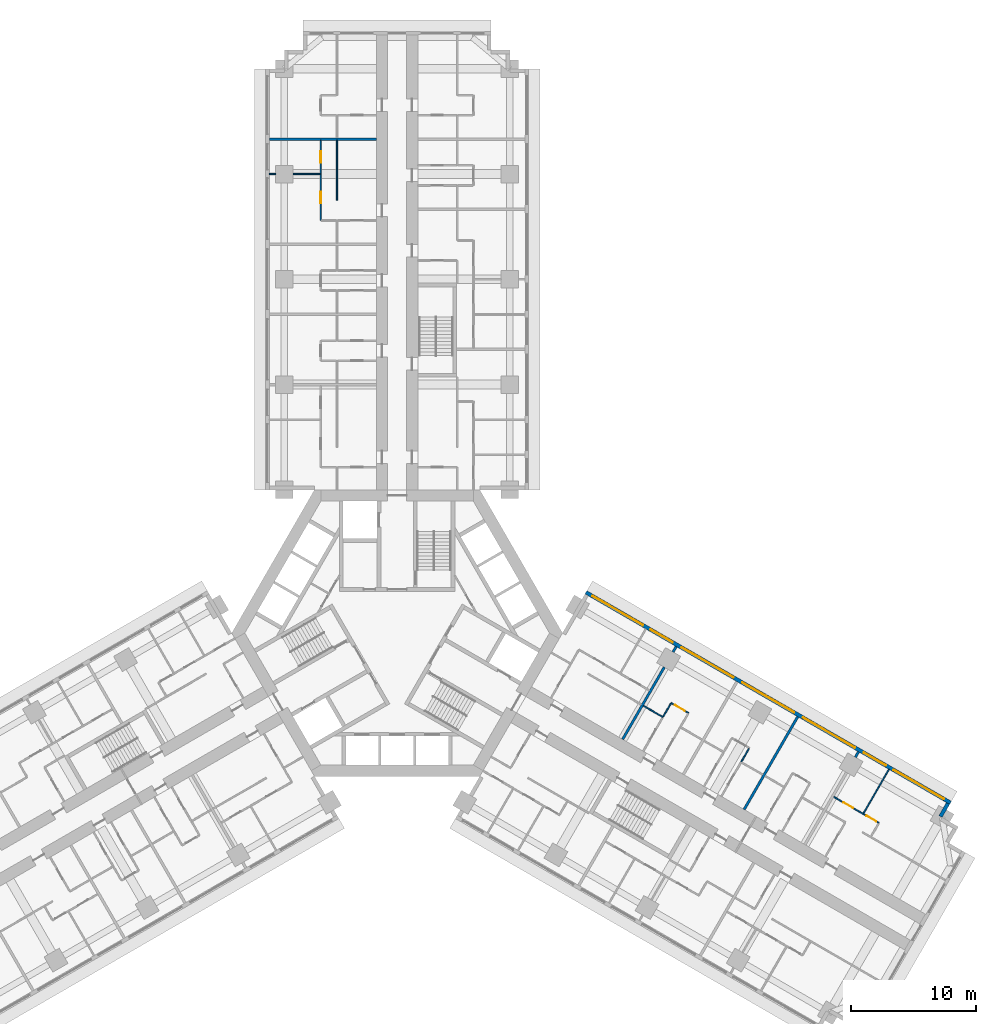
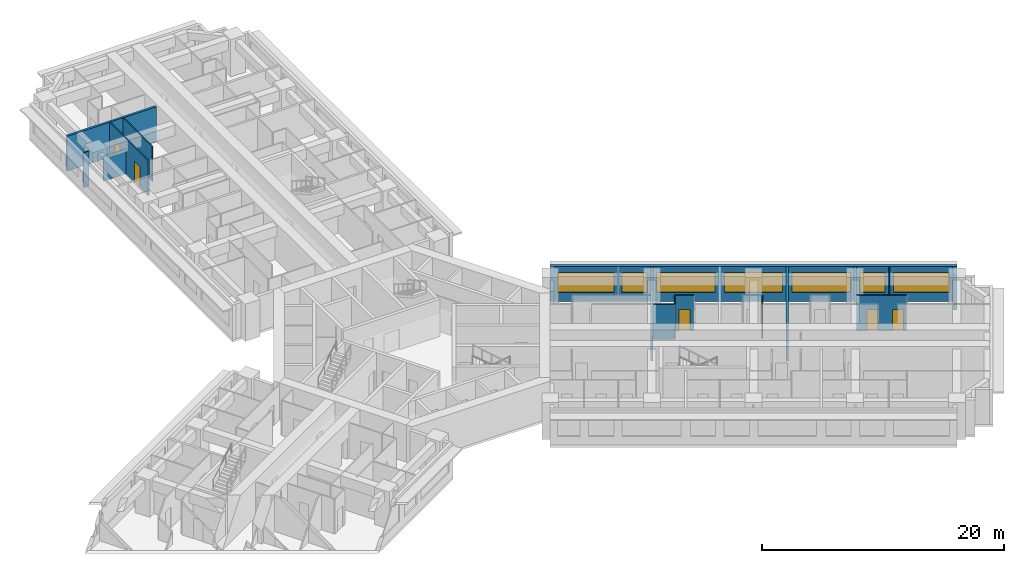
# One storey, part 13 of 16: 17 walls, 7 windows, 5 doors, 12 openings.
"""IFC4 building model written with IfcOpenShell, lengths in metres."""

from ifc_helpers import new_model, si_unit, direction, frame, frame_2d, origin, place, context, subcontext, project, spatial, rectangle, extrude, material, layer, layer_set, type_object, element, fill, save


model = new_model("IFC4")

# Units and contexts
model_context = context("Model", 3, precision=1e-05, world=origin(), true_north=direction((0.0, 1.0)))
body_context = subcontext(model_context, "Body", "Model", "MODEL_VIEW")
ifc_project = project(units=[si_unit("LENGTHUNIT", "METRE"), si_unit("AREAUNIT", "SQUARE_METRE"), si_unit("VOLUMEUNIT", "CUBIC_METRE"), si_unit("PLANEANGLEUNIT", "RADIAN"), si_unit("MASSUNIT", "GRAM", prefix="KILO")], contexts=[model_context])

# Site, building, storey
site_placement = place(None, origin())
site = spatial("IfcSite", under=ifc_project, at=site_placement, CompositionType="ELEMENT")
building_placement = place(site_placement, origin())
building = spatial("IfcBuilding", under=site, at=building_placement, Name="Impinga Residences", CompositionType="ELEMENT")
storey_placement = place(building_placement, frame((0.0, 0.0, 63.5)))
storey = spatial("IfcBuildingStorey", under=building, at=storey_placement, Name="L15", CompositionType="ELEMENT", Elevation=63.5)

# Wall, openings, windows
ifc_material_1 = material(Name="Terracotta rainscreen on blockwork", Category="masonry")
ifc_layer_1 = layer(ifc_material_1, 0.300048828125)
ifc_layer_set_1 = layer_set([ifc_layer_1], Name="EW1 external wall, terracotta rainscreen on blockwork 300")
wall_type_1 = type_object("IfcWallType", Name="EW1 external wall, terracotta rainscreen on blockwork 300", PredefinedType="SOLIDWALL", material=ifc_layer_set_1)
wall_1_placement = place(storey_placement, frame((15.074951171875, 3.24755859375, 0.0), z_axis=(0.0, 0.0, 1.0), x_axis=(0.866024291668, -0.500001926238, 0.0)))
wall_1 = element("IfcWall", 1, at=wall_1_placement, inside=storey, type_object=wall_type_1, Name="External wall EW1 L15", PredefinedType="SOLIDWALL", context=body_context, shape_type="SweptSolid", body=[
    extrude(rectangle(XDim=33.599853515625, YDim=0.300048828125, at=frame_2d((16.7998046875, 0.0))), origin(), (0.0, 0.0, 1.0), 3.530029296875),
])
opening_1_placement = place(wall_1_placement, frame((0.60009765625, 0.0, 0.89990234375)))
opening_1 = element("IfcOpeningElement", 2, at=opening_1_placement, cuts=wall_1, Name="Opening W10", PredefinedType="OPENING", context=body_context, shape_type="SweptSolid", body=[
    extrude(rectangle(XDim=4.64990234375, YDim=2.050048828125, at=frame_2d((2.324951171875, 1.02490234375))), frame((0.0, 0.159912109375, 0.0), z_axis=(0.0, -1.0, 0.0), x_axis=(1.0, 0.0, 0.0)), (0.0, 0.0, 1.0), 0.320068359375),
])
opening_2_placement = place(wall_1_placement, frame((5.949951171875, 0.0, 0.89990234375)))
opening_2 = element("IfcOpeningElement", 3, at=opening_2_placement, cuts=wall_1, Name="Opening W14", PredefinedType="OPENING", context=body_context, shape_type="SweptSolid", body=[
    extrude(rectangle(XDim=2.050048828125, YDim=2.050048828125, at=frame_2d((1.02490234375, 1.02490234375))), frame((0.0, 0.159912109375, 0.0), z_axis=(0.0, -1.0, 0.0), x_axis=(1.0, 0.0, 0.0)), (0.0, 0.0, 1.0), 0.320068359375),
])
opening_3_placement = place(wall_1_placement, frame((8.800048828125, 0.0, 0.89990234375)))
opening_3 = element("IfcOpeningElement", 4, at=opening_3_placement, cuts=wall_1, Name="Opening W8", PredefinedType="OPENING", context=body_context, shape_type="SweptSolid", body=[
    extrude(rectangle(XDim=4.800048828125, YDim=2.050048828125, at=frame_2d((2.39990234375, 1.02490234375))), frame((0.0, 0.159912109375, 0.0), z_axis=(0.0, -1.0, 0.0), x_axis=(1.0, 0.0, 0.0)), (0.0, 0.0, 1.0), 0.320068359375),
])
opening_4_placement = place(wall_1_placement, frame((14.39990234375, 0.0, 0.89990234375)))
opening_4 = element("IfcOpeningElement", 5, at=opening_4_placement, cuts=wall_1, Name="Opening W8", PredefinedType="OPENING", context=body_context, shape_type="SweptSolid", body=[
    extrude(rectangle(XDim=4.800048828125, YDim=2.050048828125, at=frame_2d((2.39990234375, 1.02490234375))), frame((0.0, 0.159912109375, 0.0), z_axis=(0.0, -1.0, 0.0), x_axis=(1.0, 0.0, 0.0)), (0.0, 0.0, 1.0), 0.320068359375),
])
opening_5_placement = place(wall_1_placement, frame((20.0, 0.0, 0.89990234375)))
opening_5 = element("IfcOpeningElement", 6, at=opening_5_placement, cuts=wall_1, Name="Opening W8", PredefinedType="OPENING", context=body_context, shape_type="SweptSolid", body=[
    extrude(rectangle(XDim=4.800048828125, YDim=2.050048828125, at=frame_2d((2.39990234375, 1.02490234375))), frame((0.0, 0.159912109375, 0.0), z_axis=(0.0, -1.0, 0.0), x_axis=(1.0, 0.0, 0.0)), (0.0, 0.0, 1.0), 0.320068359375),
])
opening_6_placement = place(wall_1_placement, frame((25.60009765625, 0.0, 0.89990234375)))
opening_6 = element("IfcOpeningElement", 7, at=opening_6_placement, cuts=wall_1, Name="Opening W14", PredefinedType="OPENING", context=body_context, shape_type="SweptSolid", body=[
    extrude(rectangle(XDim=2.050048828125, YDim=2.050048828125, at=frame_2d((1.02490234375, 1.02490234375))), frame((0.0, 0.159912109375, 0.0), z_axis=(0.0, -1.0, 0.0), x_axis=(1.0, 0.0, 0.0)), (0.0, 0.0, 1.0), 0.320068359375),
])
opening_7_placement = place(wall_1_placement, frame((28.35009765625, 0.0, 0.89990234375)))
opening_7 = element("IfcOpeningElement", 8, at=opening_7_placement, cuts=wall_1, Name="Opening W10", PredefinedType="OPENING", context=body_context, shape_type="SweptSolid", body=[
    extrude(rectangle(XDim=4.64990234375, YDim=2.050048828125, at=frame_2d((2.324951171875, 1.02490234375))), frame((0.0, 0.159912109375, 0.0), z_axis=(0.0, -1.0, 0.0), x_axis=(1.0, 0.0, 0.0)), (0.0, 0.0, 1.0), 0.320068359375),
])
ifc_material_2 = material(Name="Aluminium window, clear double glazing", Category="aluminium")
window_type_1 = type_object("IfcWindowType", Name="W10 ribbon window 4650x2050", PartitioningType="SINGLE_PANEL", PredefinedType="WINDOW", material=ifc_material_2)
window_1_placement = place(opening_1_placement, origin())
window_1 = element("IfcWindow", 9, at=window_1_placement, inside=storey, type_object=window_type_1, Name="Window L15", OverallHeight=2.050048828125, OverallWidth=4.64990234375, PartitioningType="SINGLE_PANEL", PredefinedType="WINDOW", context=body_context, shape_type="SweptSolid", body=[
    extrude(rectangle(XDim=4.64990234375, YDim=2.050048828125, at=frame_2d((2.324951171875, 1.02490234375))), frame((0.0, 0.030029296875, 0.0), z_axis=(0.0, -1.0, 0.0), x_axis=(1.0, 0.0, 0.0)), (0.0, 0.0, 1.0), 0.06005859375),
])
fill(opening_1, window_1)
window_2_placement = place(opening_7_placement, origin())
window_2 = element("IfcWindow", 10, at=window_2_placement, inside=storey, type_object=window_type_1, Name="Window L15", OverallHeight=2.050048828125, OverallWidth=4.64990234375, PartitioningType="SINGLE_PANEL", PredefinedType="WINDOW", context=body_context, shape_type="SweptSolid", body=[
    extrude(rectangle(XDim=4.64990234375, YDim=2.050048828125, at=frame_2d((2.324951171875, 1.02490234375))), frame((0.0, 0.030029296875, 0.0), z_axis=(0.0, -1.0, 0.0), x_axis=(1.0, 0.0, 0.0)), (0.0, 0.0, 1.0), 0.06005859375),
])
fill(opening_7, window_2)
window_type_2 = type_object("IfcWindowType", Name="W14 ribbon window 2050x2050", PartitioningType="SINGLE_PANEL", PredefinedType="WINDOW", material=ifc_material_2)
window_3_placement = place(opening_2_placement, origin())
window_3 = element("IfcWindow", 11, at=window_3_placement, inside=storey, type_object=window_type_2, Name="Window L15", OverallHeight=2.050048828125, OverallWidth=2.050048828125, PartitioningType="SINGLE_PANEL", PredefinedType="WINDOW", context=body_context, shape_type="SweptSolid", body=[
    extrude(rectangle(XDim=2.050048828125, YDim=2.050048828125, at=frame_2d((1.02490234375, 1.02490234375))), frame((0.0, 0.030029296875, 0.0), z_axis=(0.0, -1.0, 0.0), x_axis=(1.0, 0.0, 0.0)), (0.0, 0.0, 1.0), 0.06005859375),
])
fill(opening_2, window_3)
window_4_placement = place(opening_6_placement, origin())
window_4 = element("IfcWindow", 12, at=window_4_placement, inside=storey, type_object=window_type_2, Name="Window L15", OverallHeight=2.050048828125, OverallWidth=2.050048828125, PartitioningType="SINGLE_PANEL", PredefinedType="WINDOW", context=body_context, shape_type="SweptSolid", body=[
    extrude(rectangle(XDim=2.050048828125, YDim=2.050048828125, at=frame_2d((1.02490234375, 1.02490234375))), frame((0.0, 0.030029296875, 0.0), z_axis=(0.0, -1.0, 0.0), x_axis=(1.0, 0.0, 0.0)), (0.0, 0.0, 1.0), 0.06005859375),
])
fill(opening_6, window_4)
window_type_3 = type_object("IfcWindowType", Name="W8 ribbon window 4800x2050", PartitioningType="SINGLE_PANEL", PredefinedType="WINDOW", material=ifc_material_2)
window_5_placement = place(opening_3_placement, origin())
window_5 = element("IfcWindow", 13, at=window_5_placement, inside=storey, type_object=window_type_3, Name="Window L15", OverallHeight=2.050048828125, OverallWidth=4.800048828125, PartitioningType="SINGLE_PANEL", PredefinedType="WINDOW", context=body_context, shape_type="SweptSolid", body=[
    extrude(rectangle(XDim=4.800048828125, YDim=2.050048828125, at=frame_2d((2.39990234375, 1.02490234375))), frame((0.0, 0.030029296875, 0.0), z_axis=(0.0, -1.0, 0.0), x_axis=(1.0, 0.0, 0.0)), (0.0, 0.0, 1.0), 0.06005859375),
])
fill(opening_3, window_5)
window_6_placement = place(opening_4_placement, origin())
window_6 = element("IfcWindow", 14, at=window_6_placement, inside=storey, type_object=window_type_3, Name="Window L15", OverallHeight=2.050048828125, OverallWidth=4.800048828125, PartitioningType="SINGLE_PANEL", PredefinedType="WINDOW", context=body_context, shape_type="SweptSolid", body=[
    extrude(rectangle(XDim=4.800048828125, YDim=2.050048828125, at=frame_2d((2.39990234375, 1.02490234375))), frame((0.0, 0.030029296875, 0.0), z_axis=(0.0, -1.0, 0.0), x_axis=(1.0, 0.0, 0.0)), (0.0, 0.0, 1.0), 0.06005859375),
])
fill(opening_4, window_6)
window_7_placement = place(opening_5_placement, origin())
window_7 = element("IfcWindow", 15, at=window_7_placement, inside=storey, type_object=window_type_3, Name="Window L15", OverallHeight=2.050048828125, OverallWidth=4.800048828125, PartitioningType="SINGLE_PANEL", PredefinedType="WINDOW", context=body_context, shape_type="SweptSolid", body=[
    extrude(rectangle(XDim=4.800048828125, YDim=2.050048828125, at=frame_2d((2.39990234375, 1.02490234375))), frame((0.0, 0.030029296875, 0.0), z_axis=(0.0, -1.0, 0.0), x_axis=(1.0, 0.0, 0.0)), (0.0, 0.0, 1.0), 0.06005859375),
])
fill(opening_5, window_7)

# Walls
wall_2_placement = place(storey_placement, frame((43.968505859375, -13.607421875, 0.0), z_axis=(0.0, 0.0, 1.0), x_axis=(-0.500029051137, -0.866008630453, 0.0)))
element("IfcWall", 16, at=wall_2_placement, inside=storey, type_object=wall_type_1, Name="External wall EW1 L15", PredefinedType="SOLIDWALL", context=body_context, shape_type="SweptSolid", body=[
    extrude(rectangle(XDim=1.19482421875, YDim=0.300048828125, at=frame_2d((0.597412109375, 0.0))), origin(), (0.0, 0.0, 1.0), 3.530029296875),
])
ifc_material_3 = material(Name="Gypsum board on steel studs", Category="steel")
ifc_layer_2 = layer(ifc_material_3, 0.10009765625)
ifc_layer_set_2 = layer_set([ifc_layer_2], Name="Gypsum board on steel studs")
wall_type_2 = type_object("IfcWallType", Name="IP1 partition 100", PredefinedType="PARTITIONING", material=ifc_layer_set_2)
wall_3_placement = place(storey_placement, frame((-4.800048828125, 34.531494140625, 0.0), z_axis=(0.0, 0.0, 1.0), x_axis=(0.0, 1.0, 0.0)))
element("IfcWall", 17, at=wall_3_placement, inside=storey, type_object=wall_type_2, Name="Partition L15-NA4:DIV1", PredefinedType="PARTITIONING", context=body_context, shape_type="SweptSolid", body=[
    extrude(rectangle(XDim=4.800048828125, YDim=0.10009765625, at=frame_2d((2.39990234375, 0.0))), origin(), (0.0, 0.0, 1.0), 3.530029296875),
])

# Wall, openings, doors
wall_4_placement = place(storey_placement, frame((-6.10009765625, 32.931640625, 0.0), z_axis=(0.0, 0.0, 1.0), x_axis=(0.0, 1.0, 0.0)))
wall_4 = element("IfcWall", 18, at=wall_4_placement, inside=storey, type_object=wall_type_2, Name="Partition L15-NA4:STRIP", PredefinedType="PARTITIONING", context=body_context, shape_type="SweptSolid", body=[
    extrude(rectangle(XDim=6.39990234375, YDim=0.10009765625, at=frame_2d((3.199951171875, 0.0))), origin(), (0.0, 0.0, 1.0), 3.530029296875),
])
opening_8_placement = place(wall_4_placement, frame((1.375, 0.0, 0.0)))
opening_8 = element("IfcOpeningElement", 19, at=opening_8_placement, cuts=wall_4, Name="Opening D2", PredefinedType="OPENING", context=body_context, shape_type="SweptSolid", body=[
    extrude(rectangle(XDim=0.89990234375, YDim=2.10009765625, at=frame_2d((0.449951171875, 1.050048828125))), frame((0.0, 0.06005859375, 0.0), z_axis=(0.0, -1.0, 0.0), x_axis=(1.0, 0.0, 0.0)), (0.0, 0.0, 1.0), 0.1201171875),
])
opening_9_placement = place(wall_4_placement, frame((4.625, 0.0, 0.0)))
opening_9 = element("IfcOpeningElement", 20, at=opening_9_placement, cuts=wall_4, Name="Opening D2", PredefinedType="OPENING", context=body_context, shape_type="SweptSolid", body=[
    extrude(rectangle(XDim=0.89990234375, YDim=2.10009765625, at=frame_2d((0.449951171875, 1.050048828125))), frame((0.0, 0.06005859375, 0.0), z_axis=(0.0, -1.0, 0.0), x_axis=(1.0, 0.0, 0.0)), (0.0, 0.0, 1.0), 0.1201171875),
])
ifc_material_4 = material(Name="Timber door set", Category="wood")
door_type = type_object("IfcDoorType", Name="D2 internal door 900x2100", OperationType="SINGLE_SWING_LEFT", PredefinedType="DOOR", material=ifc_material_4)
door_1_placement = place(opening_8_placement, origin())
door_1 = element("IfcDoor", 21, at=door_1_placement, inside=storey, type_object=door_type, Name="Apartment L15-NA4 room door", OperationType="SINGLE_SWING_LEFT", OverallHeight=2.10009765625, OverallWidth=0.89990234375, PredefinedType="DOOR", context=body_context, shape_type="SweptSolid", body=[
    extrude(rectangle(XDim=0.89990234375, YDim=2.10009765625, at=frame_2d((0.449951171875, 1.050048828125))), frame((0.0, 0.02490234375, 0.0), z_axis=(0.0, -1.0, 0.0), x_axis=(1.0, 0.0, 0.0)), (0.0, 0.0, 1.0), 0.050048828125),
])
fill(opening_8, door_1)
door_2_placement = place(opening_9_placement, origin())
door_2 = element("IfcDoor", 22, at=door_2_placement, inside=storey, type_object=door_type, Name="Apartment L15-NA4 room door", OperationType="SINGLE_SWING_RIGHT", OverallHeight=2.10009765625, OverallWidth=0.89990234375, PredefinedType="DOOR", context=body_context, shape_type="SweptSolid", body=[
    extrude(rectangle(XDim=0.89990234375, YDim=2.10009765625, at=frame_2d((0.449951171875, 1.050048828125))), frame((0.0, 0.02490234375, 0.0), z_axis=(0.0, -1.0, 0.0), x_axis=(1.0, 0.0, 0.0)), (0.0, 0.0, 1.0), 0.050048828125),
])
fill(opening_9, door_2)

# Walls
wall_5_placement = place(storey_placement, frame((-6.14990234375, 36.631591796875, 0.0), z_axis=(0.0, 0.0, 1.0), x_axis=(-1.0, 0.0, 0.0)))
element("IfcWall", 23, at=wall_5_placement, inside=storey, type_object=wall_type_2, Name="Partition L15-NA4:OB1", PredefinedType="PARTITIONING", context=body_context, shape_type="SweptSolid", body=[
    extrude(rectangle(XDim=2.150146484375, YDim=0.10009765625, at=frame_2d((1.0751953125, 0.0))), origin(), (0.0, 0.0, 1.0), 2.47998046875),
])
wall_6_placement = place(storey_placement, frame((-9.699951171875, 36.631591796875, 0.0), z_axis=(0.0, 0.0, 1.0), x_axis=(-1.0, 0.0, 0.0)))
element("IfcWall", 24, at=wall_6_placement, inside=storey, type_object=wall_type_2, Name="Partition L15-NA4:OB1b", PredefinedType="PARTITIONING", context=body_context, shape_type="SweptSolid", body=[
    extrude(rectangle(XDim=0.5, YDim=0.10009765625, at=frame_2d((0.25, 0.0))), origin(), (0.0, 0.0, 1.0), 3.530029296875),
])
wall_7_placement = place(storey_placement, frame((19.6611328125, -5.808837890625, 0.0), z_axis=(0.0, 0.0, 1.0), x_axis=(0.866047807691, -0.499961193289, 0.0)))
element("IfcWall", 25, at=wall_7_placement, inside=storey, type_object=wall_type_2, Name="Partition L15-EA2:DIV0", PredefinedType="PARTITIONING", context=body_context, shape_type="SweptSolid", body=[
    extrude(rectangle(XDim=1.800048828125, YDim=0.10009765625, at=frame_2d((0.89990234375, 0.0))), origin(), (0.0, 0.0, 1.0), 3.530029296875),
])

# Wall, opening, door
wall_8_placement = place(storey_placement, frame((21.8701171875, -5.5830078125, 0.0), z_axis=(0.0, 0.0, 1.0), x_axis=(0.865989903783, -0.500061482766, 0.0)))
wall_8 = element("IfcWall", 26, at=wall_8_placement, inside=storey, type_object=wall_type_2, Name="Partition L15-EA2:STRIP", PredefinedType="PARTITIONING", context=body_context, shape_type="SweptSolid", body=[
    extrude(rectangle(XDim=1.599853515625, YDim=0.10009765625, at=frame_2d((0.7998046875, 0.0))), origin(), (0.0, 0.0, 1.0), 3.530029296875),
])
opening_10_placement = place(wall_8_placement, frame((0.35009765625, 0.0, 0.0)))
opening_10 = element("IfcOpeningElement", 27, at=opening_10_placement, cuts=wall_8, Name="Opening D2", PredefinedType="OPENING", context=body_context, shape_type="SweptSolid", body=[
    extrude(rectangle(XDim=0.89990234375, YDim=2.10009765625, at=frame_2d((0.449951171875, 1.050048828125))), frame((0.0, 0.06005859375, 0.0), z_axis=(0.0, -1.0, 0.0), x_axis=(1.0, 0.0, 0.0)), (0.0, 0.0, 1.0), 0.1201171875),
])
door_3_placement = place(opening_10_placement, origin())
door_3 = element("IfcDoor", 28, at=door_3_placement, inside=storey, type_object=door_type, Name="Apartment L15-EA2 room door", OperationType="SINGLE_SWING_LEFT", OverallHeight=2.10009765625, OverallWidth=0.89990234375, PredefinedType="DOOR", context=body_context, shape_type="SweptSolid", body=[
    extrude(rectangle(XDim=0.89990234375, YDim=2.10009765625, at=frame_2d((0.449951171875, 1.050048828125))), frame((0.0, 0.02490234375, 0.0), z_axis=(0.0, -1.0, 0.0), x_axis=(1.0, 0.0, 0.0)), (0.0, 0.0, 1.0), 0.050048828125),
])
fill(opening_10, door_3)

# Walls
wall_9_placement = place(storey_placement, frame((21.2451171875, -6.66552734375, 0.0), z_axis=(0.0, 0.0, 1.0), x_axis=(0.499880961361, 0.866094119867, 0.0)))
element("IfcWall", 29, at=wall_9_placement, inside=storey, type_object=wall_type_2, Name="Partition L15-EA2:SE0", PredefinedType="PARTITIONING", context=body_context, shape_type="SweptSolid", body=[
    extrude(rectangle(XDim=1.199951171875, YDim=0.10009765625, at=frame_2d((0.60009765625, 0.0))), origin(), (0.0, 0.0, 1.0), 3.530029296875),
])
wall_10_placement = place(storey_placement, frame((27.48046875, -10.265625, 0.0), z_axis=(0.0, 0.0, 1.0), x_axis=(0.500033551112, 0.866006032174, 0.0)))
element("IfcWall", 30, at=wall_10_placement, inside=storey, type_object=wall_type_2, Name="Partition L15-EA3:SE1", PredefinedType="PARTITIONING", context=body_context, shape_type="SweptSolid", body=[
    extrude(rectangle(XDim=1.2001953125, YDim=0.10009765625, at=frame_2d((0.60009765625, 0.0))), origin(), (0.0, 0.0, 1.0), 3.530029296875),
])

# Wall, openings, doors
wall_11_placement = place(storey_placement, frame((34.8603515625, -13.0830078125, 0.0), z_axis=(0.0, 0.0, 1.0), x_axis=(0.86602981871, -0.499992353047, 0.0)))
wall_11 = element("IfcWall", 31, at=wall_11_placement, inside=storey, type_object=wall_type_2, Name="Partition L15-EA5:STRIP", PredefinedType="PARTITIONING", context=body_context, shape_type="SweptSolid", body=[
    extrude(rectangle(XDim=4.14990234375, YDim=0.10009765625, at=frame_2d((2.074951171875, 0.0))), origin(), (0.0, 0.0, 1.0), 3.530029296875),
])
opening_11_placement = place(wall_11_placement, frame((0.875, 0.0, 0.0)))
opening_11 = element("IfcOpeningElement", 32, at=opening_11_placement, cuts=wall_11, Name="Opening D2", PredefinedType="OPENING", context=body_context, shape_type="SweptSolid", body=[
    extrude(rectangle(XDim=0.89990234375, YDim=2.10009765625, at=frame_2d((0.449951171875, 1.050048828125))), frame((0.0, 0.06005859375, 0.0), z_axis=(0.0, -1.0, 0.0), x_axis=(1.0, 0.0, 0.0)), (0.0, 0.0, 1.0), 0.1201171875),
])
opening_12_placement = place(wall_11_placement, frame((3.0, 0.0, 0.0)))
opening_12 = element("IfcOpeningElement", 33, at=opening_12_placement, cuts=wall_11, Name="Opening D2", PredefinedType="OPENING", context=body_context, shape_type="SweptSolid", body=[
    extrude(rectangle(XDim=0.89990234375, YDim=2.10009765625, at=frame_2d((0.449951171875, 1.050048828125))), frame((0.0, 0.06005859375, 0.0), z_axis=(0.0, -1.0, 0.0), x_axis=(1.0, 0.0, 0.0)), (0.0, 0.0, 1.0), 0.1201171875),
])
door_4_placement = place(opening_11_placement, origin())
door_4 = element("IfcDoor", 34, at=door_4_placement, inside=storey, type_object=door_type, Name="Apartment L15-EA5 room door", OperationType="SINGLE_SWING_LEFT", OverallHeight=2.10009765625, OverallWidth=0.89990234375, PredefinedType="DOOR", context=body_context, shape_type="SweptSolid", body=[
    extrude(rectangle(XDim=0.89990234375, YDim=2.10009765625, at=frame_2d((0.449951171875, 1.050048828125))), frame((0.0, 0.02490234375, 0.0), z_axis=(0.0, -1.0, 0.0), x_axis=(1.0, 0.0, 0.0)), (0.0, 0.0, 1.0), 0.050048828125),
])
fill(opening_11, door_4)
door_5_placement = place(opening_12_placement, origin())
door_5 = element("IfcDoor", 35, at=door_5_placement, inside=storey, type_object=door_type, Name="Apartment L15-EA5 room door", OperationType="SINGLE_SWING_RIGHT", OverallHeight=2.10009765625, OverallWidth=0.89990234375, PredefinedType="DOOR", context=body_context, shape_type="SweptSolid", body=[
    extrude(rectangle(XDim=0.89990234375, YDim=2.10009765625, at=frame_2d((0.449951171875, 1.050048828125))), frame((0.0, 0.02490234375, 0.0), z_axis=(0.0, -1.0, 0.0), x_axis=(1.0, 0.0, 0.0)), (0.0, 0.0, 1.0), 0.050048828125),
])
fill(opening_12, door_5)

# Walls
wall_12_placement = place(storey_placement, frame((37.2236328125, -14.3896484375, 0.0), z_axis=(0.0, 0.0, 1.0), x_axis=(0.500035537042, 0.866004885491, 0.0)))
element("IfcWall", 36, at=wall_12_placement, inside=storey, type_object=wall_type_2, Name="Partition L15-EA5:OB1", PredefinedType="PARTITIONING", context=body_context, shape_type="SweptSolid", body=[
    extrude(rectangle(XDim=4.050048828125, YDim=0.10009765625, at=frame_2d((2.02490234375, 0.0))), origin(), (0.0, 0.0, 1.0), 3.530029296875),
])
ifc_material_5 = material(Name="Concrete blockwork", Category="masonry")
ifc_layer_3 = layer(ifc_material_5, 0.199951171875)
ifc_layer_set_3 = layer_set([ifc_layer_3], Name="PW1 party wall between apartments 200")
wall_type_3 = type_object("IfcWallType", Name="PW1 party wall between apartments 200", PredefinedType="SOLIDWALL", material=ifc_layer_set_3)
wall_13_placement = place(storey_placement, frame((-1.64990234375, 39.431640625, 0.0), z_axis=(0.0, 0.0, 1.0), x_axis=(-1.0, 0.0, 0.0)))
element("IfcWall", 37, at=wall_13_placement, inside=storey, type_object=wall_type_3, Name="Party wall between apartments L15-NA4:PARTY", PredefinedType="SOLIDWALL", context=body_context, shape_type="SweptSolid", body=[
    extrude(rectangle(XDim=8.550048828125, YDim=0.199951171875, at=frame_2d((4.27490234375, 0.0))), origin(), (0.0, 0.0, 1.0), 3.530029296875),
])
wall_14_placement = place(storey_placement, frame((17.99951171875, -8.48681640625, 0.0), z_axis=(0.0, 0.0, 1.0), x_axis=(0.500024353964, 0.86601134256, 0.0)))
element("IfcWall", 38, at=wall_14_placement, inside=storey, type_object=wall_type_3, Name="Party wall between apartments L15-EA1:PARTY", PredefinedType="SOLIDWALL", context=body_context, shape_type="SweptSolid", body=[
    extrude(rectangle(XDim=6.650146484375, YDim=0.199951171875, at=frame_2d((3.3251953125, 0.0))), origin(), (0.0, 0.0, 1.0), 2.47998046875),
])
wall_15_placement = place(storey_placement, frame((22.024658203125, -1.515380859375, 0.0), z_axis=(0.0, 0.0, 1.0), x_axis=(0.499919672301, 0.866071776036, 0.0)))
element("IfcWall", 39, at=wall_15_placement, inside=storey, type_object=wall_type_3, Name="Party wall between apartments L15-EA1:PARTYb", PredefinedType="SOLIDWALL", context=body_context, shape_type="SweptSolid", body=[
    extrude(rectangle(XDim=0.5, YDim=0.199951171875, at=frame_2d((0.25, 0.0))), origin(), (0.0, 0.0, 1.0), 3.530029296875),
])
wall_16_placement = place(storey_placement, frame((27.69921875, -14.0869140625, 0.0), z_axis=(0.0, 0.0, 1.0), x_axis=(0.499990227581, 0.86603104582, 0.0)))
element("IfcWall", 40, at=wall_16_placement, inside=storey, type_object=wall_type_3, Name="Party wall between apartments L15-EA3:PARTY", PredefinedType="SOLIDWALL", context=body_context, shape_type="SweptSolid", body=[
    extrude(rectangle(XDim=8.550048828125, YDim=0.199951171875, at=frame_2d((4.27490234375, 0.0))), origin(), (0.0, 0.0, 1.0), 3.530029296875),
])
wall_17_placement = place(storey_placement, frame((36.57373046875, -9.915283203125, 0.0), z_axis=(0.0, 0.0, 1.0), x_axis=(0.500131122175, 0.865949687125, 0.0)))
element("IfcWall", 41, at=wall_17_placement, inside=storey, type_object=wall_type_3, Name="Party wall between apartments L15-EA4:PARTYb", PredefinedType="SOLIDWALL", context=body_context, shape_type="SweptSolid", body=[
    extrude(rectangle(XDim=0.499755859375, YDim=0.199951171875, at=frame_2d((0.25, 0.0))), origin(), (0.0, 0.0, 1.0), 3.530029296875),
])

save(model, "model.ifc")
